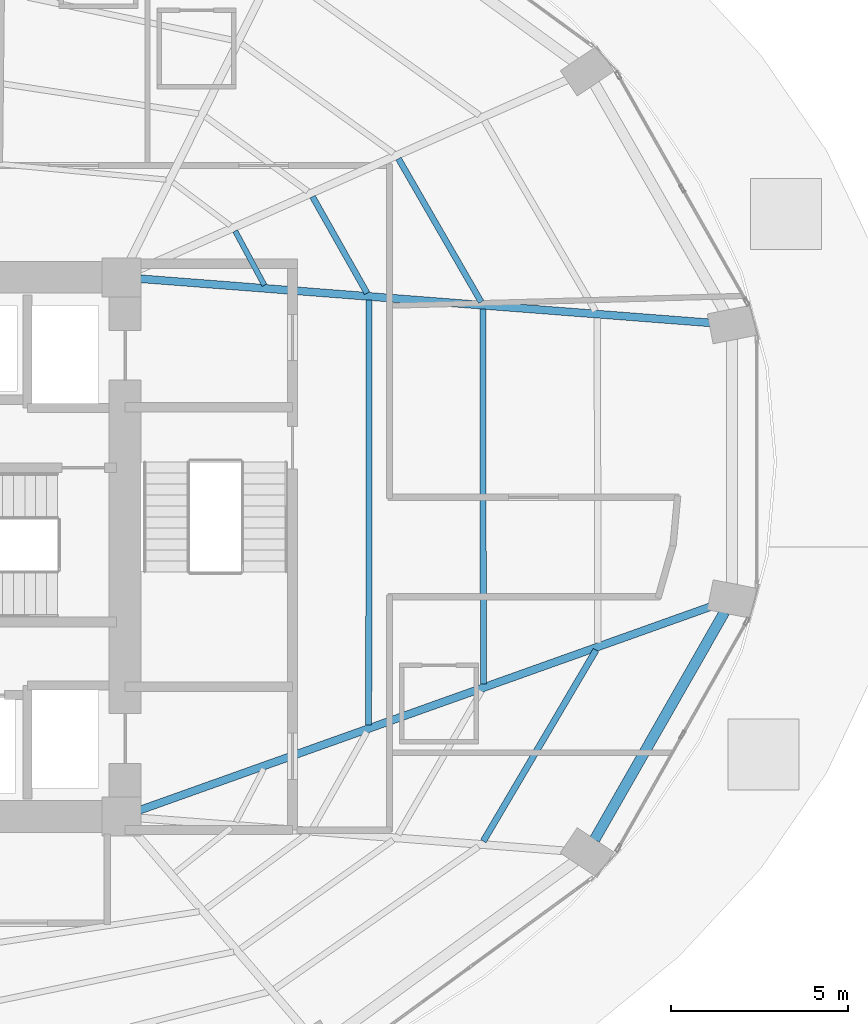
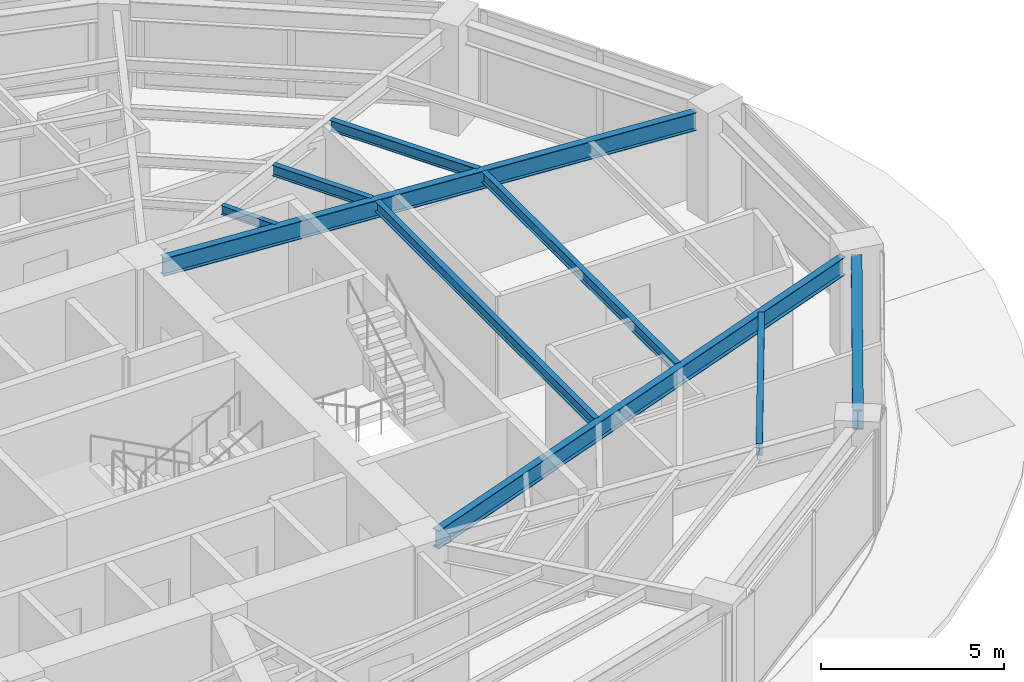
# One storey, part 11 of 25: 9 beams.
"""IFC4 building model written with IfcOpenShell, lengths in metres."""

from ifc_helpers import new_model, si_unit, direction, frame, origin, origin_2d, place, context, subcontext, project, spatial, i_section, extrude, material, material_profile, profile_set, type_object, element, save


model = new_model("IFC4")

# Units and contexts
model_context = context("Model", 3, precision=1e-05, world=origin(), true_north=direction((0.0, 1.0)))
body_context = subcontext(model_context, "Body", "Model", "MODEL_VIEW")
ifc_project = project(units=[si_unit("LENGTHUNIT", "METRE"), si_unit("AREAUNIT", "SQUARE_METRE"), si_unit("VOLUMEUNIT", "CUBIC_METRE"), si_unit("PLANEANGLEUNIT", "RADIAN"), si_unit("MASSUNIT", "GRAM", prefix="KILO")], contexts=[model_context])

# Site, building, storey
site_placement = place(None, origin())
site = spatial("IfcSite", under=ifc_project, at=site_placement, CompositionType="ELEMENT")
building_placement = place(site_placement, origin())
building = spatial("IfcBuilding", under=site, at=building_placement, Name="Lazwardi Medical Tower", CompositionType="ELEMENT")
storey_placement = place(building_placement, frame((0.0, 0.0, 25.199951171875)))
storey = spatial("IfcBuildingStorey", under=building, at=storey_placement, Name="L05", CompositionType="ELEMENT", Elevation=25.199951171875)

# Beams
ifc_material = material(Name="Steel S355", Category="steel")
ifc_material_profile_1 = material_profile(ifc_material, i_section(OverallWidth=0.300048828125, OverallDepth=0.64990234375, WebThickness=0.01611328125, FlangeThickness=0.031005859375, at=origin_2d()), Name="HEB 650")
ifc_profile_set_1 = profile_set([ifc_material_profile_1], Name="Steel S355")
beam_type_1 = type_object("IfcBeamType", Name="BM-RB-Z1", PredefinedType="BEAM", material=ifc_profile_set_1)
beam_1_placement = place(storey_placement, frame((58.927978515625, 19.75048828125, 3.10302734375), z_axis=(0.495829348644, 0.868419977328, 0.0), x_axis=(-0.868419977328, 0.495829348644, 0.0)))
element("IfcBeam", 1, at=beam_1_placement, inside=storey, type_object=beam_type_1, Name="Ring beam RB-02 B03 L05", PredefinedType="BEAM", context=body_context, shape_type="SweptSolid", body=[
    extrude(i_section(OverallWidth=0.300048828125, OverallDepth=0.64990234375, WebThickness=0.01611328125, FlangeThickness=0.031005859375, at=origin_2d()), origin(), (0.0, 0.0, 1.0), 7.38916015625),
])
ifc_material_profile_2 = material_profile(ifc_material, i_section(OverallWidth=0.219970703125, OverallDepth=0.60009765625, WebThickness=0.011962890625, FlangeThickness=0.01904296875, at=origin_2d()), Name="IPE 600")
ifc_profile_set_2 = profile_set([ifc_material_profile_2], Name="Steel S355")
beam_type_2 = type_object("IfcBeamType", Name="BM-RG-W1", PredefinedType="BEAM", material=ifc_profile_set_2)
beam_2_placement = place(storey_placement, frame((62.253662109375, 26.33740234375, 3.1279296875), z_axis=(-0.941925080425, -0.335823082688, 0.0), x_axis=(0.335823082688, -0.941925080425, 0.0)))
element("IfcBeam", 2, at=beam_2_placement, inside=storey, type_object=beam_type_2, Name="Radial girder RG-02 R04 L05", PredefinedType="BEAM", context=body_context, shape_type="SweptSolid", body=[
    extrude(i_section(OverallWidth=0.219970703125, OverallDepth=0.60009765625, WebThickness=0.011962890625, FlangeThickness=0.01904296875, at=origin_2d()), origin(), (0.0, 0.0, 1.0), 17.145263671875),
])
beam_3_placement = place(storey_placement, frame((62.2216796875, 34.3125, 3.1279296875), z_axis=(-0.997013942066, 0.077221754231, 0.0), x_axis=(-0.077221754231, -0.997013942066, 0.0)))
element("IfcBeam", 3, at=beam_3_placement, inside=storey, type_object=beam_type_2, Name="Radial girder RG-02 R05 L05", PredefinedType="BEAM", context=body_context, shape_type="SweptSolid", body=[
    extrude(i_section(OverallWidth=0.219970703125, OverallDepth=0.60009765625, WebThickness=0.011962890625, FlangeThickness=0.01904296875, at=origin_2d()), origin(), (0.0, 0.0, 1.0), 16.136474609375),
])
ifc_material_profile_3 = material_profile(ifc_material, i_section(OverallWidth=0.179931640625, OverallDepth=0.39990234375, WebThickness=0.008544921875, FlangeThickness=0.013427734375, at=origin_2d()), Name="IPE 400")
ifc_profile_set_3 = profile_set([ifc_material_profile_3], Name="Steel S355")
beam_type_3 = type_object("IfcBeamType", Name="BM-SJ-01", PredefinedType="JOIST", material=ifc_profile_set_3)
beam_4_placement = place(storey_placement, frame((55.793212890625, 19.70654296875, 3.22802734375), z_axis=(0.507886270937, 0.861424132349, 0.0), x_axis=(-0.861424132349, 0.507886270937, 0.0)))
element("IfcBeam", 4, at=beam_4_placement, inside=storey, type_object=beam_type_3, Name="Secondary joist SJ-01 R1 B03 L05", PredefinedType="JOIST", context=body_context, shape_type="SweptSolid", body=[
    extrude(i_section(OverallWidth=0.179931640625, OverallDepth=0.39990234375, WebThickness=0.008544921875, FlangeThickness=0.013427734375, at=origin_2d()), origin(), (0.0, 0.0, 1.0), 6.255859375),
])
ifc_material_profile_4 = material_profile(ifc_material, i_section(OverallWidth=0.169921875, OverallDepth=0.360107421875, WebThickness=0.008056640625, FlangeThickness=0.0126953125, at=origin_2d()), Name="IPE 360")
ifc_profile_set_4 = profile_set([ifc_material_profile_4], Name="Steel S355")
beam_type_4 = type_object("IfcBeamType", Name="BM-SJ-02", PredefinedType="JOIST", material=ifc_profile_set_4)
beam_5_placement = place(storey_placement, frame((55.793701171875, 24.139404296875, 3.248046875), z_axis=(-0.000670039821, 0.999999775523, 0.0), x_axis=(-0.999999775523, -0.000670039821, 0.0)))
element("IfcBeam", 5, at=beam_5_placement, inside=storey, type_object=beam_type_4, Name="Secondary joist SJ-02 R2 B04 L05", PredefinedType="JOIST", context=body_context, shape_type="SweptSolid", body=[
    extrude(i_section(OverallWidth=0.169921875, OverallDepth=0.360107421875, WebThickness=0.008056640625, FlangeThickness=0.0126953125, at=origin_2d()), origin(), (0.0, 0.0, 1.0), 10.566650390625),
])
beam_6_placement = place(storey_placement, frame((55.73388671875, 34.90185546875, 3.248046875), z_axis=(-0.499785866494, 0.866148998529, 0.0), x_axis=(-0.866148998529, -0.499785866494, 0.0)))
element("IfcBeam", 6, at=beam_6_placement, inside=storey, type_object=beam_type_4, Name="Secondary joist SJ-02 R2 B05 L05", PredefinedType="JOIST", context=body_context, shape_type="SweptSolid", body=[
    extrude(i_section(OverallWidth=0.169921875, OverallDepth=0.360107421875, WebThickness=0.008056640625, FlangeThickness=0.0126953125, at=origin_2d()), origin(), (0.0, 0.0, 1.0), 4.666015625),
])
beam_7_placement = place(storey_placement, frame((52.56396484375, 22.98779296875, 3.248046875), z_axis=(0.000387612685, 0.999999924878, 0.0), x_axis=(-0.999999924878, 0.000387612685, 0.0)))
element("IfcBeam", 7, at=beam_7_placement, inside=storey, type_object=beam_type_4, Name="Secondary joist SJ-02 R3 B04 L05", PredefinedType="JOIST", context=body_context, shape_type="SweptSolid", body=[
    extrude(i_section(OverallWidth=0.169921875, OverallDepth=0.360107421875, WebThickness=0.008056640625, FlangeThickness=0.0126953125, at=origin_2d()), origin(), (0.0, 0.0, 1.0), 11.96728515625),
])
beam_8_placement = place(storey_placement, frame((52.51708984375, 35.151611328125, 3.248046875), z_axis=(-0.491923287977, 0.870638546554, 0.0), x_axis=(-0.870638546554, -0.491923287977, 0.0)))
element("IfcBeam", 8, at=beam_8_placement, inside=storey, type_object=beam_type_4, Name="Secondary joist SJ-02 R3 B05 L05", PredefinedType="JOIST", context=body_context, shape_type="SweptSolid", body=[
    extrude(i_section(OverallWidth=0.169921875, OverallDepth=0.360107421875, WebThickness=0.008056640625, FlangeThickness=0.0126953125, at=origin_2d()), origin(), (0.0, 0.0, 1.0), 3.122802734375),
])
ifc_material_profile_5 = material_profile(ifc_material, i_section(OverallWidth=0.14990234375, OverallDepth=0.300048828125, WebThickness=0.007080078125, FlangeThickness=0.0107421875, at=origin_2d()), Name="IPE 300")
ifc_profile_set_5 = profile_set([ifc_material_profile_5], Name="Steel S355")
beam_type_5 = type_object("IfcBeamType", Name="BM-SJ-03", PredefinedType="JOIST", material=ifc_profile_set_5)
beam_9_placement = place(storey_placement, frame((49.623046875, 35.376953125, 3.278076171875), z_axis=(-0.473982292828, 0.880534375301, 0.0), x_axis=(-0.880534375301, -0.473982292828, 0.0)))
element("IfcBeam", 9, at=beam_9_placement, inside=storey, type_object=beam_type_5, Name="Secondary joist SJ-03 R4 B05 L05", PredefinedType="JOIST", context=body_context, shape_type="SweptSolid", body=[
    extrude(i_section(OverallWidth=0.14990234375, OverallDepth=0.300048828125, WebThickness=0.007080078125, FlangeThickness=0.0107421875, at=origin_2d()), origin(), (0.0, 0.0, 1.0), 1.734375),
])

save(model, "model.ifc")
